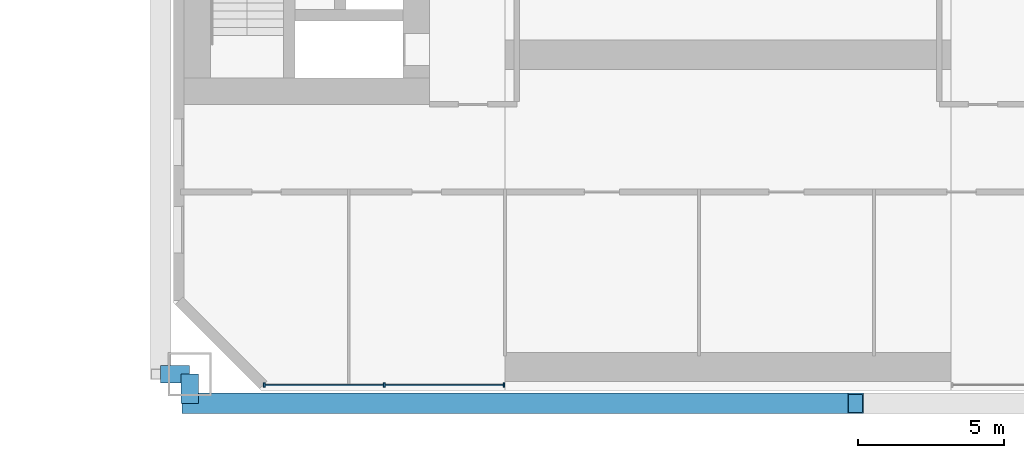
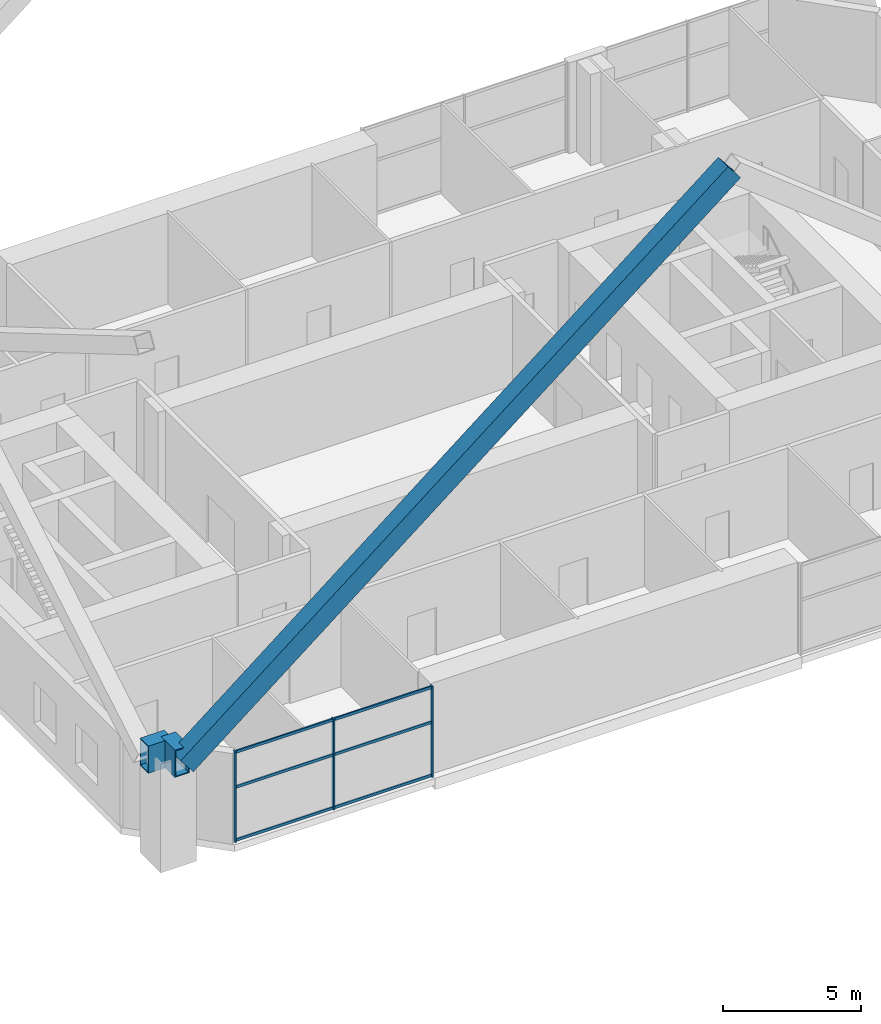
# One storey, part 9 of 25: 10 members, 2 beams, 1 element without a shape of its own.
"""IFC4 building model written with IfcOpenShell, lengths in metres."""

from ifc_helpers import new_model, si_unit, direction, frame, origin, origin_2d, place, context, subcontext, project, spatial, rectangle, hollow_rectangle, extrude, material, material_profile, profile_set, type_object, element, aggregate, save


model = new_model("IFC4")

# Units and contexts
model_context = context("Model", 3, precision=1e-05, world=origin(), true_north=direction((0.0, 1.0)))
body_context = subcontext(model_context, "Body", "Model", "MODEL_VIEW")
ifc_project = project(units=[si_unit("LENGTHUNIT", "METRE"), si_unit("AREAUNIT", "SQUARE_METRE"), si_unit("VOLUMEUNIT", "CUBIC_METRE"), si_unit("PLANEANGLEUNIT", "RADIAN"), si_unit("MASSUNIT", "GRAM", prefix="KILO")], contexts=[model_context])

# Site, building, storey
site_placement = place(None, origin())
site = spatial("IfcSite", under=ifc_project, at=site_placement, CompositionType="ELEMENT")
building_placement = place(site_placement, origin())
building = spatial("IfcBuilding", under=site, at=building_placement, Name="Tuart Gate Housing", CompositionType="ELEMENT")
storey_placement = place(building_placement, frame((0.0, 0.0, 14.699951171875)))
storey = spatial("IfcBuildingStorey", under=building, at=storey_placement, Name="L03", CompositionType="ELEMENT", Elevation=14.699951171875)

# Beams
ifc_material_1 = material(Name="Steel Grade 350", Category="steel")
ifc_material_profile_1 = material_profile(ifc_material_1, hollow_rectangle(XDim=0.60009765625, YDim=1.199951171875, WallThickness=0.0400390625, at=origin_2d()), Name="BOX 1200x600x40")
ifc_profile_set_1 = profile_set([ifc_material_profile_1], Name="Steel Grade 350")
beam_type = type_object("IfcBeamType", Name="Brace shoe BOX 1200x600x40", PredefinedType="BEAM", material=ifc_profile_set_1)
for number, where, z_axis, x_axis, name in (
    (1, (131.550048828125, 54.550048828125, 4.800048828125), (0.0, -1.0, 0.0), (1.0, 0.0, 0.0), "Mega brace shoe B zone 1 south chevron 1"),
    (2, (131.550048828125, 54.550048828125, 4.800048828125), (-1.0, 0.0, 0.0), (0.0, -1.0, 0.0), "Mega brace shoe B zone 1 west cross 1"),
):
    element("IfcBeam", number, at=place(storey_placement, frame(where, z_axis=z_axis, x_axis=x_axis)), inside=storey, type_object=beam_type, Name=name, PredefinedType="BEAM", context=body_context, shape_type="SweptSolid", body=[
        extrude(hollow_rectangle(XDim=0.60009765625, YDim=1.199951171875, WallThickness=0.0400390625, at=origin_2d()), origin(), (0.0, 0.0, 1.0), 1.0),
    ])

# Member
ifc_material_2 = material(Name="Steel Grade 350", Category="steel")
ifc_material_profile_2 = material_profile(ifc_material_2, hollow_rectangle(XDim=0.699951171875, YDim=0.85009765625, WallThickness=0.0419921875, at=origin_2d()), Name="BOX 850x700x42")
ifc_profile_set_2 = profile_set([ifc_material_profile_2], Name="Steel Grade 350")
member_type_1 = type_object("IfcMemberType", Name="Mega brace BOX 850x700x42", PredefinedType="BRACE", material=ifc_profile_set_2)
member_1_placement = place(storey_placement, frame((131.550048828125, 53.550048828125, 4.800048828125), z_axis=(0.781870554364, 0.0, 0.623440804101), x_axis=(0.0, 1.0, 0.0)))
element("IfcMember", 3, at=member_1_placement, inside=storey, type_object=member_type_1, Name="Mega brace B zone 1 south chevron 1", PredefinedType="BRACE", context=body_context, shape_type="SweptSolid", body=[
    extrude(hollow_rectangle(XDim=0.699951171875, YDim=0.85009765625, WallThickness=0.0419921875, at=origin_2d()), origin(), (0.0, 0.0, 1.0), 29.19287109375),
])

# Curtain wall, members
ifc_material_3 = material(Name="Aluminium and clear glass", Category="aluminium")
curtain_wall_type = type_object("IfcCurtainWallType", Name="Community floor glazing", PredefinedType="USERDEFINED", material=ifc_material_3)
curtain_wall_placement = place(storey_placement, origin())
curtain_wall = element("IfcCurtainWall", 4, at=curtain_wall_placement, inside=storey, type_object=curtain_wall_type, Name="Community floor glazing B-S L03", ObjectType="COMMUNITY FLOOR GLAZING", PredefinedType="USERDEFINED")
ifc_material_4 = material(Name="Anodised aluminium", Category="aluminium")
ifc_material_profile_3 = material_profile(ifc_material_4, rectangle(XDim=0.06005859375, YDim=0.159912109375, at=origin_2d()), Name="60x160")
ifc_profile_set_3 = profile_set([ifc_material_profile_3], Name="Anodised aluminium")
member_type_2 = type_object("IfcMemberType", Name="Mullion 60 x 160", PredefinedType="MULLION", material=ifc_profile_set_3)
member_2_placement = place(storey_placement, frame((134.1044921875, 54.179931640625, 0.0), z_axis=(0.0, 0.0, 1.0), x_axis=(1.0, 0.0, 0.0)))
member_2 = element("IfcMember", 5, at=member_2_placement, type_object=member_type_2, Name="CW3 mullion 1", PredefinedType="MULLION", context=body_context, shape_type="SweptSolid", body=[
    extrude(rectangle(XDim=0.06005859375, YDim=0.159912109375, at=origin_2d()), origin(), (0.0, 0.0, 1.0), 4.0),
])
member_3_placement = place(storey_placement, frame((138.21240234375, 54.179931640625, 0.0), z_axis=(0.0, 0.0, 1.0), x_axis=(1.0, 0.0, 0.0)))
member_3 = element("IfcMember", 6, at=member_3_placement, type_object=member_type_2, Name="CW3 mullion 2", PredefinedType="MULLION", context=body_context, shape_type="SweptSolid", body=[
    extrude(rectangle(XDim=0.06005859375, YDim=0.159912109375, at=origin_2d()), origin(), (0.0, 0.0, 1.0), 4.0),
])
member_4_placement = place(storey_placement, frame((142.320068359375, 54.179931640625, 0.0), z_axis=(0.0, 0.0, 1.0), x_axis=(1.0, 0.0, 0.0)))
member_4 = element("IfcMember", 7, at=member_4_placement, type_object=member_type_2, Name="CW3 mullion 3", PredefinedType="MULLION", context=body_context, shape_type="SweptSolid", body=[
    extrude(rectangle(XDim=0.06005859375, YDim=0.159912109375, at=origin_2d()), origin(), (0.0, 0.0, 1.0), 4.0),
])
ifc_material_5 = material(Name="Anodised aluminium", Category="aluminium")
ifc_material_profile_4 = material_profile(ifc_material_5, rectangle(XDim=0.06005859375, YDim=0.1201171875, at=origin_2d()), Name="60x120")
ifc_profile_set_4 = profile_set([ifc_material_profile_4], Name="Anodised aluminium")
member_type_3 = type_object("IfcMemberType", Name="Transom 60 x 120", PredefinedType="USERDEFINED", material=ifc_profile_set_4)
member_5_placement = place(storey_placement, frame((134.134521484375, 54.179931640625, 0.06005859375), z_axis=(1.0, 0.0, 0.0), x_axis=(0.0, 1.0, 0.0)))
member_5 = element("IfcMember", 8, at=member_5_placement, type_object=member_type_3, Name="CW3 transom 1.1", ObjectType="TRANSOM", PredefinedType="USERDEFINED", context=body_context, shape_type="SweptSolid", body=[
    extrude(rectangle(XDim=0.06005859375, YDim=0.1201171875, at=origin_2d()), origin(), (0.0, 0.0, 1.0), 4.0478515625),
])
member_6_placement = place(storey_placement, frame((134.134521484375, 54.179931640625, 2.400146484375), z_axis=(1.0, 0.0, 0.0), x_axis=(0.0, 1.0, 0.0)))
member_6 = element("IfcMember", 9, at=member_6_placement, type_object=member_type_3, Name="CW3 transom 1.2", ObjectType="TRANSOM", PredefinedType="USERDEFINED", context=body_context, shape_type="SweptSolid", body=[
    extrude(rectangle(XDim=0.06005859375, YDim=0.1201171875, at=origin_2d()), origin(), (0.0, 0.0, 1.0), 4.0478515625),
])
member_7_placement = place(storey_placement, frame((134.134521484375, 54.179931640625, 3.93994140625), z_axis=(1.0, 0.0, 0.0), x_axis=(0.0, 1.0, 0.0)))
member_7 = element("IfcMember", 10, at=member_7_placement, type_object=member_type_3, Name="CW3 transom 1.3", ObjectType="TRANSOM", PredefinedType="USERDEFINED", context=body_context, shape_type="SweptSolid", body=[
    extrude(rectangle(XDim=0.06005859375, YDim=0.1201171875, at=origin_2d()), origin(), (0.0, 0.0, 1.0), 4.0478515625),
])
member_8_placement = place(storey_placement, frame((138.2421875, 54.179931640625, 0.06005859375), z_axis=(1.0, 0.0, 0.0), x_axis=(0.0, 1.0, 0.0)))
member_8 = element("IfcMember", 11, at=member_8_placement, type_object=member_type_3, Name="CW3 transom 2.1", ObjectType="TRANSOM", PredefinedType="USERDEFINED", context=body_context, shape_type="SweptSolid", body=[
    extrude(rectangle(XDim=0.06005859375, YDim=0.1201171875, at=origin_2d()), origin(), (0.0, 0.0, 1.0), 4.0478515625),
])
member_9_placement = place(storey_placement, frame((138.2421875, 54.179931640625, 2.400146484375), z_axis=(1.0, 0.0, 0.0), x_axis=(0.0, 1.0, 0.0)))
member_9 = element("IfcMember", 12, at=member_9_placement, type_object=member_type_3, Name="CW3 transom 2.2", ObjectType="TRANSOM", PredefinedType="USERDEFINED", context=body_context, shape_type="SweptSolid", body=[
    extrude(rectangle(XDim=0.06005859375, YDim=0.1201171875, at=origin_2d()), origin(), (0.0, 0.0, 1.0), 4.0478515625),
])
member_10_placement = place(storey_placement, frame((138.2421875, 54.179931640625, 3.93994140625), z_axis=(1.0, 0.0, 0.0), x_axis=(0.0, 1.0, 0.0)))
member_10 = element("IfcMember", 13, at=member_10_placement, type_object=member_type_3, Name="CW3 transom 2.3", ObjectType="TRANSOM", PredefinedType="USERDEFINED", context=body_context, shape_type="SweptSolid", body=[
    extrude(rectangle(XDim=0.06005859375, YDim=0.1201171875, at=origin_2d()), origin(), (0.0, 0.0, 1.0), 4.0478515625),
])
aggregate(curtain_wall, [member_2, member_3, member_4, member_5, member_6, member_7, member_8, member_9, member_10])

save(model, "model.ifc")
